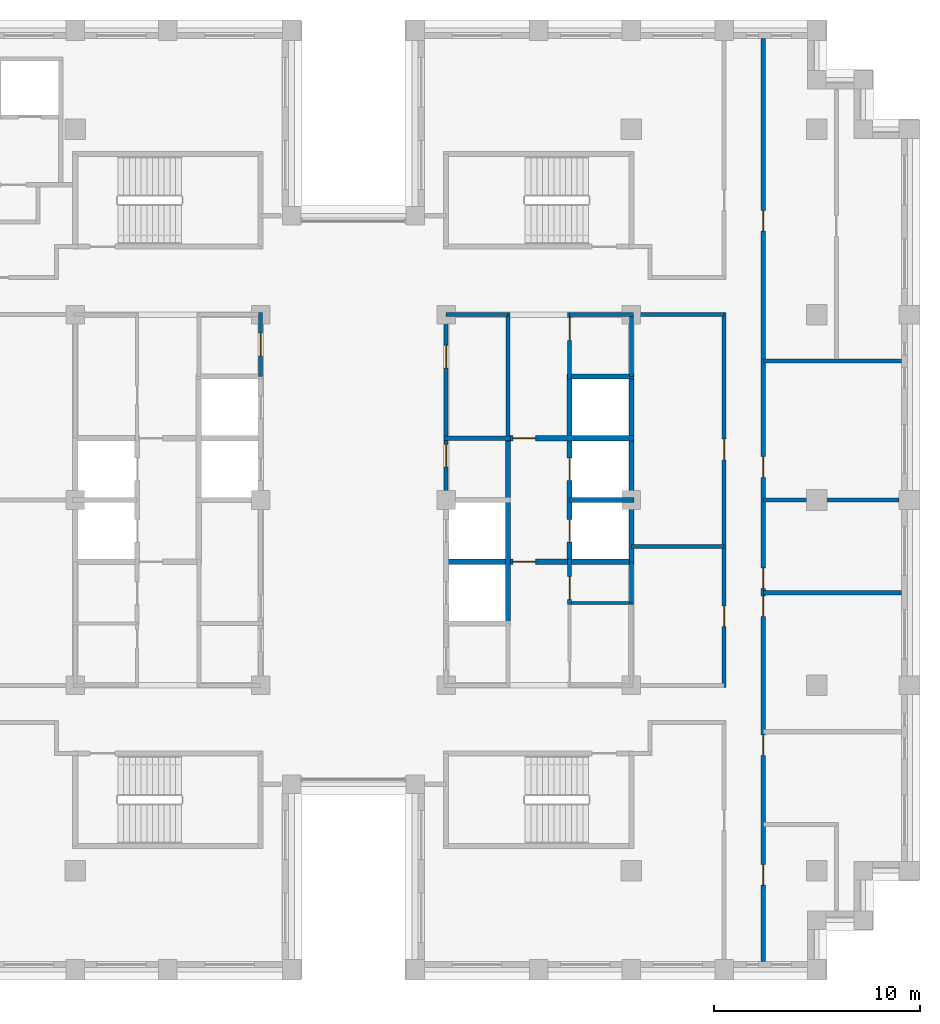
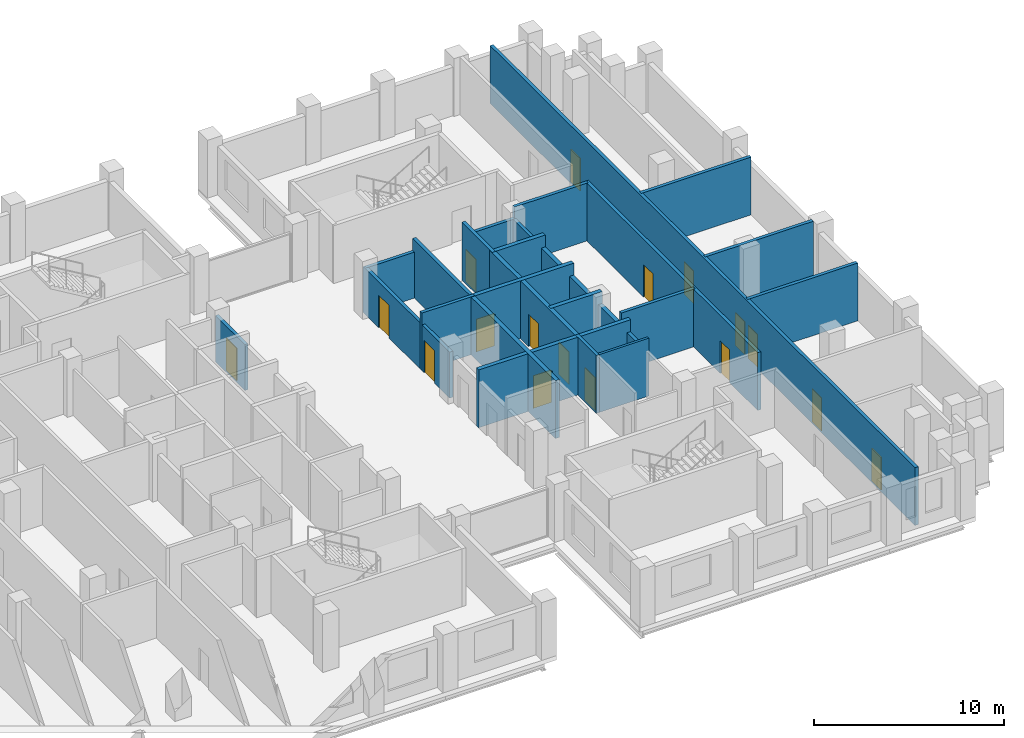
# One storey, part 9 of 15: 25 walls, 17 doors, 17 openings.
"""IFC4 building model written with IfcOpenShell, lengths in metres."""

from ifc_helpers import new_model, si_unit, direction, frame, frame_2d, origin, place, context, subcontext, project, spatial, rectangle, extrude, material, layer, layer_set, type_object, element, fill, save


model = new_model("IFC4")

# Units and contexts
model_context = context("Model", 3, precision=1e-05, world=origin(), true_north=direction((0.0, 1.0)))
body_context = subcontext(model_context, "Body", "Model", "MODEL_VIEW")
ifc_project = project(units=[si_unit("LENGTHUNIT", "METRE"), si_unit("AREAUNIT", "SQUARE_METRE"), si_unit("VOLUMEUNIT", "CUBIC_METRE"), si_unit("PLANEANGLEUNIT", "RADIAN"), si_unit("MASSUNIT", "GRAM", prefix="KILO")], contexts=[model_context])

# Site, building, storey
site_placement = place(None, origin())
site = spatial("IfcSite", under=ifc_project, at=site_placement, CompositionType="ELEMENT")
building_placement = place(site_placement, origin())
building = spatial("IfcBuilding", under=site, at=building_placement, Name="Corbelhall Arena Tower", CompositionType="ELEMENT")
storey_placement = place(building_placement, frame((0.0, 0.0, 200.0)))
storey = spatial("IfcBuildingStorey", under=building, at=storey_placement, Name="L41", CompositionType="ELEMENT", Elevation=200.0)

# Walls
ifc_material_1 = material(Name="Gypsum board on steel stud, acoustic", Category="steel")
ifc_layer_1 = layer(ifc_material_1, 0.199951171875)
ifc_layer_set_1 = layer_set([ifc_layer_1], Name="IN-W-DM200")
wall_type_1 = type_object("IfcWallType", Name="IN-W-DM200", PredefinedType="PARTITIONING", material=ifc_layer_set_1)
for number, where, z_axis, x_axis, name in (
    (1, (13.5, -2.25, 0.0), (0.0, 0.0, 1.0), (1.0, 0.0, 0.0), "Partition 038"),
    (2, (18.0, 9.0, 0.0), (0.0, 0.0, 1.0), (-1.0, 0.0, 0.0), "Partition 041"),
):
    element("IfcWall", number, at=place(storey_placement, frame(where, z_axis=z_axis, x_axis=x_axis)), inside=storey, type_object=wall_type_1, Name=name, PredefinedType="PARTITIONING", context=body_context, shape_type="SweptSolid", body=[
        extrude(rectangle(XDim=4.5, YDim=0.199951171875, at=frame_2d((2.25, 0.0))), origin(), (0.0, 0.0, 1.0), 3.719970703125),
    ])

# Wall, openings, doors
wall_1_placement = place(storey_placement, frame((18.0, -9.10009765625, 0.0), z_axis=(0.0, 0.0, 1.0), x_axis=(0.0, 1.0, 0.0)))
wall_1 = element("IfcWall", 3, at=wall_1_placement, inside=storey, type_object=wall_type_1, Name="Partition 046", PredefinedType="PARTITIONING", context=body_context, shape_type="SweptSolid", body=[
    extrude(rectangle(XDim=18.2001953125, YDim=0.199951171875, at=frame_2d((9.10009765625, 0.0))), origin(), (0.0, 0.0, 1.0), 3.719970703125),
])
opening_1_placement = place(wall_1_placement, frame((2.949951171875, 0.0, 0.0)))
opening_1 = element("IfcOpeningElement", 4, at=opening_1_placement, cuts=wall_1, Name="Opening 12025", PredefinedType="OPENING", context=body_context, shape_type="SweptSolid", body=[
    extrude(rectangle(XDim=1.0, YDim=2.10009765625, at=frame_2d((0.5, 1.050048828125))), frame((0.0, 0.10009765625, 0.0), z_axis=(0.0, -1.0, 0.0), x_axis=(1.0, 0.0, 0.0)), (0.0, 0.0, 1.0), 0.199951171875),
])
opening_2_placement = place(wall_1_placement, frame((11.050048828125, 0.0, 0.0)))
opening_2 = element("IfcOpeningElement", 5, at=opening_2_placement, cuts=wall_1, Name="Opening 12026", PredefinedType="OPENING", context=body_context, shape_type="SweptSolid", body=[
    extrude(rectangle(XDim=1.0, YDim=2.10009765625, at=frame_2d((0.5, 1.050048828125))), frame((0.0, 0.10009765625, 0.0), z_axis=(0.0, -1.0, 0.0), x_axis=(1.0, 0.0, 0.0)), (0.0, 0.0, 1.0), 0.199951171875),
])
ifc_material_2 = material(Name="Steel door set", Category="steel")
door_type_1 = type_object("IfcDoorType", Name="IN-D-SW100", OperationType="NOTDEFINED", PredefinedType="DOOR", material=ifc_material_2)
door_1_placement = place(opening_1_placement, origin())
door_1 = element("IfcDoor", 6, at=door_1_placement, inside=storey, type_object=door_type_1, Name="Door 025", OperationType="SINGLE_SWING_RIGHT", OverallHeight=2.10009765625, OverallWidth=1.0, PredefinedType="DOOR", context=body_context, shape_type="SweptSolid", body=[
    extrude(rectangle(XDim=1.0, YDim=2.10009765625, at=frame_2d((0.5, 1.050048828125))), frame((0.0, 0.02490234375, 0.0), z_axis=(0.0, -1.0, 0.0), x_axis=(1.0, 0.0, 0.0)), (0.0, 0.0, 1.0), 0.050048828125),
])
fill(opening_1, door_1)
door_2_placement = place(opening_2_placement, origin())
door_2 = element("IfcDoor", 7, at=door_2_placement, inside=storey, type_object=door_type_1, Name="Door 026", OperationType="SINGLE_SWING_LEFT", OverallHeight=2.10009765625, OverallWidth=1.0, PredefinedType="DOOR", context=body_context, shape_type="SweptSolid", body=[
    extrude(rectangle(XDim=1.0, YDim=2.10009765625, at=frame_2d((0.5, 1.050048828125))), frame((0.0, 0.02490234375, 0.0), z_axis=(0.0, -1.0, 0.0), x_axis=(1.0, 0.0, 0.0)), (0.0, 0.0, 1.0), 0.050048828125),
])
fill(opening_2, door_2)

wall_2_placement = place(storey_placement, frame((19.89990234375, 22.39990234375, 0.0), z_axis=(0.0, 0.0, 1.0), x_axis=(0.0, -1.0, 0.0)))
wall_2 = element("IfcWall", 8, at=wall_2_placement, inside=storey, type_object=wall_type_1, Name="Partition 049", PredefinedType="PARTITIONING", context=body_context, shape_type="SweptSolid", body=[
    extrude(rectangle(XDim=44.7998046875, YDim=0.199951171875, at=frame_2d((22.39990234375, 0.0))), origin(), (0.0, 0.0, 1.0), 3.719970703125),
])
opening_3_placement = place(wall_2_placement, frame((20.300048828125, 0.0, 0.0)))
opening_3 = element("IfcOpeningElement", 9, at=opening_3_placement, cuts=wall_2, Name="Opening 12036", PredefinedType="OPENING", context=body_context, shape_type="SweptSolid", body=[
    extrude(rectangle(XDim=1.0, YDim=2.10009765625, at=frame_2d((0.5, 1.050048828125))), frame((0.0, 0.10009765625, 0.0), z_axis=(0.0, -1.0, 0.0), x_axis=(1.0, 0.0, 0.0)), (0.0, 0.0, 1.0), 0.199951171875),
])
opening_4_placement = place(wall_2_placement, frame((8.35009765625, 0.0, 0.0)))
opening_4 = element("IfcOpeningElement", 10, at=opening_4_placement, cuts=wall_2, Name="Opening 12037", PredefinedType="OPENING", context=body_context, shape_type="SweptSolid", body=[
    extrude(rectangle(XDim=1.0, YDim=2.10009765625, at=frame_2d((0.5, 1.050048828125))), frame((0.0, 0.10009765625, 0.0), z_axis=(0.0, -1.0, 0.0), x_axis=(1.0, 0.0, 0.0)), (0.0, 0.0, 1.0), 0.199951171875),
])
opening_5_placement = place(wall_2_placement, frame((40.10009765625, 0.0, 0.0)))
opening_5 = element("IfcOpeningElement", 11, at=opening_5_placement, cuts=wall_2, Name="Opening 12039", PredefinedType="OPENING", context=body_context, shape_type="SweptSolid", body=[
    extrude(rectangle(XDim=1.0, YDim=2.10009765625, at=frame_2d((0.5, 1.050048828125))), frame((0.0, 0.10009765625, 0.0), z_axis=(0.0, -1.0, 0.0), x_axis=(1.0, 0.0, 0.0)), (0.0, 0.0, 1.0), 0.199951171875),
])
opening_6_placement = place(wall_2_placement, frame((33.800048828125, 0.0, 0.0)))
opening_6 = element("IfcOpeningElement", 12, at=opening_6_placement, cuts=wall_2, Name="Opening 12040", PredefinedType="OPENING", context=body_context, shape_type="SweptSolid", body=[
    extrude(rectangle(XDim=1.0, YDim=2.10009765625, at=frame_2d((0.5, 1.050048828125))), frame((0.0, 0.10009765625, 0.0), z_axis=(0.0, -1.0, 0.0), x_axis=(1.0, 0.0, 0.0)), (0.0, 0.0, 1.0), 0.199951171875),
])
opening_7_placement = place(wall_2_placement, frame((27.050048828125, 0.0, 0.0)))
opening_7 = element("IfcOpeningElement", 13, at=opening_7_placement, cuts=wall_2, Name="Opening 12041", PredefinedType="OPENING", context=body_context, shape_type="SweptSolid", body=[
    extrude(rectangle(XDim=1.0, YDim=2.10009765625, at=frame_2d((0.5, 1.050048828125))), frame((0.0, 0.10009765625, 0.0), z_axis=(0.0, -1.0, 0.0), x_axis=(1.0, 0.0, 0.0)), (0.0, 0.0, 1.0), 0.199951171875),
])
opening_8_placement = place(wall_2_placement, frame((25.699951171875, 0.0, 0.0)))
opening_8 = element("IfcOpeningElement", 14, at=opening_8_placement, cuts=wall_2, Name="Opening 12042", PredefinedType="OPENING", context=body_context, shape_type="SweptSolid", body=[
    extrude(rectangle(XDim=1.0, YDim=2.10009765625, at=frame_2d((0.5, 1.050048828125))), frame((0.0, 0.10009765625, 0.0), z_axis=(0.0, -1.0, 0.0), x_axis=(1.0, 0.0, 0.0)), (0.0, 0.0, 1.0), 0.199951171875),
])
door_3_placement = place(opening_3_placement, origin())
door_3 = element("IfcDoor", 15, at=door_3_placement, inside=storey, type_object=door_type_1, Name="Door 036", OperationType="SINGLE_SWING_LEFT", OverallHeight=2.10009765625, OverallWidth=1.0, PredefinedType="DOOR", context=body_context, shape_type="SweptSolid", body=[
    extrude(rectangle(XDim=1.0, YDim=2.10009765625, at=frame_2d((0.5, 1.050048828125))), frame((0.0, 0.02490234375, 0.0), z_axis=(0.0, -1.0, 0.0), x_axis=(1.0, 0.0, 0.0)), (0.0, 0.0, 1.0), 0.050048828125),
])
fill(opening_3, door_3)
door_4_placement = place(opening_4_placement, origin())
door_4 = element("IfcDoor", 16, at=door_4_placement, inside=storey, type_object=door_type_1, Name="Door 037", OperationType="SINGLE_SWING_RIGHT", OverallHeight=2.10009765625, OverallWidth=1.0, PredefinedType="DOOR", context=body_context, shape_type="SweptSolid", body=[
    extrude(rectangle(XDim=1.0, YDim=2.10009765625, at=frame_2d((0.5, 1.050048828125))), frame((0.0, 0.02490234375, 0.0), z_axis=(0.0, -1.0, 0.0), x_axis=(1.0, 0.0, 0.0)), (0.0, 0.0, 1.0), 0.050048828125),
])
fill(opening_4, door_4)
door_5_placement = place(opening_5_placement, origin())
door_5 = element("IfcDoor", 17, at=door_5_placement, inside=storey, type_object=door_type_1, Name="Door 039", OperationType="SINGLE_SWING_RIGHT", OverallHeight=2.10009765625, OverallWidth=1.0, PredefinedType="DOOR", context=body_context, shape_type="SweptSolid", body=[
    extrude(rectangle(XDim=1.0, YDim=2.10009765625, at=frame_2d((0.5, 1.050048828125))), frame((0.0, 0.02490234375, 0.0), z_axis=(0.0, -1.0, 0.0), x_axis=(1.0, 0.0, 0.0)), (0.0, 0.0, 1.0), 0.050048828125),
])
fill(opening_5, door_5)
door_6_placement = place(opening_6_placement, origin())
door_6 = element("IfcDoor", 18, at=door_6_placement, inside=storey, type_object=door_type_1, Name="Door 040", OperationType="SINGLE_SWING_LEFT", OverallHeight=2.10009765625, OverallWidth=1.0, PredefinedType="DOOR", context=body_context, shape_type="SweptSolid", body=[
    extrude(rectangle(XDim=1.0, YDim=2.10009765625, at=frame_2d((0.5, 1.050048828125))), frame((0.0, 0.02490234375, 0.0), z_axis=(0.0, -1.0, 0.0), x_axis=(1.0, 0.0, 0.0)), (0.0, 0.0, 1.0), 0.050048828125),
])
fill(opening_6, door_6)
door_7_placement = place(opening_7_placement, origin())
door_7 = element("IfcDoor", 19, at=door_7_placement, inside=storey, type_object=door_type_1, Name="Door 041", OperationType="SINGLE_SWING_RIGHT", OverallHeight=2.10009765625, OverallWidth=1.0, PredefinedType="DOOR", context=body_context, shape_type="SweptSolid", body=[
    extrude(rectangle(XDim=1.0, YDim=2.10009765625, at=frame_2d((0.5, 1.050048828125))), frame((0.0, 0.02490234375, 0.0), z_axis=(0.0, -1.0, 0.0), x_axis=(1.0, 0.0, 0.0)), (0.0, 0.0, 1.0), 0.050048828125),
])
fill(opening_7, door_7)
door_8_placement = place(opening_8_placement, origin())
door_8 = element("IfcDoor", 20, at=door_8_placement, inside=storey, type_object=door_type_1, Name="Door 042", OperationType="SINGLE_SWING_LEFT", OverallHeight=2.10009765625, OverallWidth=1.0, PredefinedType="DOOR", context=body_context, shape_type="SweptSolid", body=[
    extrude(rectangle(XDim=1.0, YDim=2.10009765625, at=frame_2d((0.5, 1.050048828125))), frame((0.0, 0.02490234375, 0.0), z_axis=(0.0, -1.0, 0.0), x_axis=(1.0, 0.0, 0.0)), (0.0, 0.0, 1.0), 0.050048828125),
])
fill(opening_8, door_8)

# Walls
for number, where, z_axis, x_axis, name in (
    (21, (19.89990234375, -4.5, 0.0), (0.0, 0.0, 1.0), (1.0, 0.0, 0.0), "Partition 051"),
    (22, (19.89990234375, 6.75, 0.0), (0.0, 0.0, 1.0), (1.0, 0.0, 0.0), "Partition 052"),
):
    element("IfcWall", number, at=place(storey_placement, frame(where, z_axis=z_axis, x_axis=x_axis)), inside=storey, type_object=wall_type_1, Name=name, PredefinedType="PARTITIONING", context=body_context, shape_type="SweptSolid", body=[
        extrude(rectangle(XDim=6.7001953125, YDim=0.199951171875, at=frame_2d((3.35009765625, 0.0))), origin(), (0.0, 0.0, 1.0), 3.719970703125),
    ])
wall_3_placement = place(storey_placement, frame((26.5, 0.0, 0.0), z_axis=(0.0, 0.0, 1.0), x_axis=(-1.0, 0.0, 0.0)))
element("IfcWall", 23, at=wall_3_placement, inside=storey, type_object=wall_type_1, Name="Partition 054", PredefinedType="PARTITIONING", context=body_context, shape_type="SweptSolid", body=[
    extrude(rectangle(XDim=6.60009765625, YDim=0.199951171875, at=frame_2d((3.300048828125, 0.0))), origin(), (0.0, 0.0, 1.0), 3.719970703125),
])
ifc_material_3 = material(Name="Concrete block wall", Category="concrete")
ifc_layer_2 = layer(ifc_material_3, 0.199951171875)
ifc_layer_set_2 = layer_set([ifc_layer_2], Name="IN-W-RS200")
wall_type_2 = type_object("IfcWallType", Name="IN-W-RS200", PredefinedType="SOLIDWALL", material=ifc_layer_set_2)
wall_4_placement = place(storey_placement, frame((4.39990234375, 3.0, 0.0), z_axis=(0.0, 0.0, 1.0), x_axis=(1.0, 0.0, 0.0)))
element("IfcWall", 24, at=wall_4_placement, inside=storey, type_object=wall_type_2, Name="Partition 065", PredefinedType="SOLIDWALL", context=body_context, shape_type="SweptSolid", body=[
    extrude(rectangle(XDim=3.22509765625, YDim=0.199951171875, at=frame_2d((1.612548828125, 0.0))), origin(), (0.0, 0.0, 1.0), 3.719970703125),
])
wall_5_placement = place(storey_placement, frame((7.5, 9.10009765625, 0.0), z_axis=(0.0, 0.0, 1.0), x_axis=(0.0, -1.0, 0.0)))
element("IfcWall", 25, at=wall_5_placement, inside=storey, type_object=wall_type_2, Name="Partition 071", PredefinedType="SOLIDWALL", context=body_context, shape_type="SweptSolid", body=[
    extrude(rectangle(XDim=6.22509765625, YDim=0.199951171875, at=frame_2d((3.112548828125, 0.0))), origin(), (0.0, 0.0, 1.0), 3.719970703125),
])

# Wall, opening, door
wall_6_placement = place(storey_placement, frame((10.5, -2.875, 0.0), z_axis=(0.0, 0.0, 1.0), x_axis=(0.0, -1.0, 0.0)))
wall_6 = element("IfcWall", 26, at=wall_6_placement, inside=storey, type_object=wall_type_2, Name="Partition 072", PredefinedType="SOLIDWALL", context=body_context, shape_type="SweptSolid", body=[
    extrude(rectangle(XDim=2.199951171875, YDim=0.199951171875, at=frame_2d((1.10009765625, 0.0))), origin(), (0.0, 0.0, 1.0), 3.719970703125),
])
opening_9_placement = place(wall_6_placement, frame((0.85009765625, 0.0, 0.0)))
opening_9 = element("IfcOpeningElement", 27, at=opening_9_placement, cuts=wall_6, Name="Opening 12015", PredefinedType="OPENING", context=body_context, shape_type="SweptSolid", body=[
    extrude(rectangle(XDim=1.10009765625, YDim=2.10009765625, at=frame_2d((0.550048828125, 1.050048828125))), frame((0.0, 0.10009765625, 0.0), z_axis=(0.0, -1.0, 0.0), x_axis=(1.0, 0.0, 0.0)), (0.0, 0.0, 1.0), 0.199951171875),
])
door_type_2 = type_object("IfcDoorType", Name="IN-D-FD110", OperationType="NOTDEFINED", PredefinedType="DOOR", material=ifc_material_2)
door_9_placement = place(opening_9_placement, origin())
door_9 = element("IfcDoor", 28, at=door_9_placement, inside=storey, type_object=door_type_2, Name="Door 015", OperationType="SINGLE_SWING_RIGHT", OverallHeight=2.10009765625, OverallWidth=1.10009765625, PredefinedType="DOOR", context=body_context, shape_type="SweptSolid", body=[
    extrude(rectangle(XDim=1.10009765625, YDim=2.10009765625, at=frame_2d((0.550048828125, 1.050048828125))), frame((0.0, 0.02490234375, 0.0), z_axis=(0.0, -1.0, 0.0), x_axis=(1.0, 0.0, 0.0)), (0.0, 0.0, 1.0), 0.050048828125),
])
fill(opening_9, door_9)

wall_7_placement = place(storey_placement, frame((10.5, 9.10009765625, 0.0), z_axis=(0.0, 0.0, 1.0), x_axis=(0.0, -1.0, 0.0)))
wall_7 = element("IfcWall", 29, at=wall_7_placement, inside=storey, type_object=wall_type_2, Name="Partition 074", PredefinedType="SOLIDWALL", context=body_context, shape_type="SweptSolid", body=[
    extrude(rectangle(XDim=3.22509765625, YDim=0.199951171875, at=frame_2d((1.612548828125, 0.0))), origin(), (0.0, 0.0, 1.0), 3.719970703125),
])
opening_10_placement = place(wall_7_placement, frame((0.25, 0.0, 0.0)))
opening_10 = element("IfcOpeningElement", 30, at=opening_10_placement, cuts=wall_7, Name="Opening 12016", PredefinedType="OPENING", context=body_context, shape_type="SweptSolid", body=[
    extrude(rectangle(XDim=1.10009765625, YDim=2.10009765625, at=frame_2d((0.550048828125, 1.050048828125))), frame((0.0, 0.10009765625, 0.0), z_axis=(0.0, -1.0, 0.0), x_axis=(1.0, 0.0, 0.0)), (0.0, 0.0, 1.0), 0.199951171875),
])
door_10_placement = place(opening_10_placement, origin())
door_10 = element("IfcDoor", 31, at=door_10_placement, inside=storey, type_object=door_type_2, Name="Door 016", OperationType="SINGLE_SWING_LEFT", OverallHeight=2.10009765625, OverallWidth=1.10009765625, PredefinedType="DOOR", context=body_context, shape_type="SweptSolid", body=[
    extrude(rectangle(XDim=1.10009765625, YDim=2.10009765625, at=frame_2d((0.550048828125, 1.050048828125))), frame((0.0, 0.02490234375, 0.0), z_axis=(0.0, -1.0, 0.0), x_axis=(1.0, 0.0, 0.0)), (0.0, 0.0, 1.0), 0.050048828125),
])
fill(opening_10, door_10)

ifc_layer_3 = layer(ifc_material_3, 0.199951171875)
ifc_layer_set_3 = layer_set([ifc_layer_3], Name="IN-W-RS200 under beam 762 mm")
wall_type_3 = type_object("IfcWallType", Name="IN-W-RS200 under beam 762 mm", PredefinedType="SOLIDWALL", material=ifc_layer_set_3)
wall_8_placement = place(storey_placement, frame((-4.5, 9.10009765625, 0.0), z_axis=(0.0, 0.0, 1.0), x_axis=(0.0, -1.0, 0.0)))
wall_8 = element("IfcWall", 32, at=wall_8_placement, inside=storey, type_object=wall_type_3, Name="Partition 064", PredefinedType="SOLIDWALL", context=body_context, shape_type="SweptSolid", body=[
    extrude(rectangle(XDim=3.10009765625, YDim=0.199951171875, at=frame_2d((1.550048828125, 0.0))), origin(), (0.0, 0.0, 1.0), 2.9580078125),
])
opening_11_placement = place(wall_8_placement, frame((1.0, 0.0, 0.0)))
opening_11 = element("IfcOpeningElement", 33, at=opening_11_placement, cuts=wall_8, Name="Opening 12003", PredefinedType="OPENING", context=body_context, shape_type="SweptSolid", body=[
    extrude(rectangle(XDim=1.10009765625, YDim=2.10009765625, at=frame_2d((0.550048828125, 1.050048828125))), frame((0.0, 0.10009765625, 0.0), z_axis=(0.0, -1.0, 0.0), x_axis=(1.0, 0.0, 0.0)), (0.0, 0.0, 1.0), 0.199951171875),
])
door_11_placement = place(opening_11_placement, origin())
door_11 = element("IfcDoor", 34, at=door_11_placement, inside=storey, type_object=door_type_2, Name="Door 003", OperationType="SINGLE_SWING_RIGHT", OverallHeight=2.10009765625, OverallWidth=1.10009765625, PredefinedType="DOOR", context=body_context, shape_type="SweptSolid", body=[
    extrude(rectangle(XDim=1.10009765625, YDim=2.10009765625, at=frame_2d((0.550048828125, 1.050048828125))), frame((0.0, 0.02490234375, 0.0), z_axis=(0.0, -1.0, 0.0), x_axis=(1.0, 0.0, 0.0)), (0.0, 0.0, 1.0), 0.050048828125),
])
fill(opening_11, door_11)

# Wall, openings, doors
wall_9_placement = place(storey_placement, frame((4.5, 0.0, 0.0), z_axis=(0.0, 0.0, 1.0), x_axis=(0.0, 1.0, 0.0)))
wall_9 = element("IfcWall", 35, at=wall_9_placement, inside=storey, type_object=wall_type_3, Name="Partition 067", PredefinedType="SOLIDWALL", context=body_context, shape_type="SweptSolid", body=[
    extrude(rectangle(XDim=9.10009765625, YDim=0.199951171875, at=frame_2d((4.550048828125, 0.0))), origin(), (0.0, 0.0, 1.0), 2.9580078125),
])
opening_12_placement = place(wall_9_placement, frame((1.60009765625, 0.0, 0.0)))
opening_12 = element("IfcOpeningElement", 36, at=opening_12_placement, cuts=wall_9, Name="Opening 12010", PredefinedType="OPENING", context=body_context, shape_type="SweptSolid", body=[
    extrude(rectangle(XDim=1.10009765625, YDim=2.10009765625, at=frame_2d((0.550048828125, 1.050048828125))), frame((0.0, 0.10009765625, 0.0), z_axis=(0.0, -1.0, 0.0), x_axis=(1.0, 0.0, 0.0)), (0.0, 0.0, 1.0), 0.199951171875),
])
opening_13_placement = place(wall_9_placement, frame((6.39990234375, 0.0, 0.0)))
opening_13 = element("IfcOpeningElement", 37, at=opening_13_placement, cuts=wall_9, Name="Opening 12011", PredefinedType="OPENING", context=body_context, shape_type="SweptSolid", body=[
    extrude(rectangle(XDim=1.10009765625, YDim=2.10009765625, at=frame_2d((0.550048828125, 1.050048828125))), frame((0.0, 0.10009765625, 0.0), z_axis=(0.0, -1.0, 0.0), x_axis=(1.0, 0.0, 0.0)), (0.0, 0.0, 1.0), 0.199951171875),
])
door_12_placement = place(opening_12_placement, origin())
door_12 = element("IfcDoor", 38, at=door_12_placement, inside=storey, type_object=door_type_2, Name="Door 010", OperationType="SINGLE_SWING_LEFT", OverallHeight=2.10009765625, OverallWidth=1.10009765625, PredefinedType="DOOR", context=body_context, shape_type="SweptSolid", body=[
    extrude(rectangle(XDim=1.10009765625, YDim=2.10009765625, at=frame_2d((0.550048828125, 1.050048828125))), frame((0.0, 0.02490234375, 0.0), z_axis=(0.0, -1.0, 0.0), x_axis=(1.0, 0.0, 0.0)), (0.0, 0.0, 1.0), 0.050048828125),
])
fill(opening_12, door_12)
door_13_placement = place(opening_13_placement, origin())
door_13 = element("IfcDoor", 39, at=door_13_placement, inside=storey, type_object=door_type_2, Name="Door 011", OperationType="SINGLE_SWING_RIGHT", OverallHeight=2.10009765625, OverallWidth=1.10009765625, PredefinedType="DOOR", context=body_context, shape_type="SweptSolid", body=[
    extrude(rectangle(XDim=1.10009765625, YDim=2.10009765625, at=frame_2d((0.550048828125, 1.050048828125))), frame((0.0, 0.02490234375, 0.0), z_axis=(0.0, -1.0, 0.0), x_axis=(1.0, 0.0, 0.0)), (0.0, 0.0, 1.0), 0.050048828125),
])
fill(opening_13, door_13)

# Walls
wall_10_placement = place(storey_placement, frame((4.5, 9.0, 0.0), z_axis=(0.0, 0.0, 1.0), x_axis=(1.0, 0.0, 0.0)))
element("IfcWall", 40, at=wall_10_placement, inside=storey, type_object=wall_type_3, Name="Partition 068", PredefinedType="SOLIDWALL", context=body_context, shape_type="SweptSolid", body=[
    extrude(rectangle(XDim=3.0, YDim=0.199951171875, at=frame_2d((1.5, 0.0))), origin(), (0.0, 0.0, 1.0), 2.9580078125),
])
wall_11_placement = place(storey_placement, frame((10.5, 9.0, 0.0), z_axis=(0.0, 0.0, 1.0), x_axis=(1.0, 0.0, 0.0)))
element("IfcWall", 41, at=wall_11_placement, inside=storey, type_object=wall_type_3, Name="Partition 073", PredefinedType="SOLIDWALL", context=body_context, shape_type="SweptSolid", body=[
    extrude(rectangle(XDim=3.10009765625, YDim=0.199951171875, at=frame_2d((1.550048828125, 0.0))), origin(), (0.0, 0.0, 1.0), 2.9580078125),
])
wall_12_placement = place(storey_placement, frame((13.5, -3.0, 0.0), z_axis=(0.0, 0.0, 1.0), x_axis=(0.0, -1.0, 0.0)))
element("IfcWall", 42, at=wall_12_placement, inside=storey, type_object=wall_type_3, Name="Partition 075", PredefinedType="SOLIDWALL", context=body_context, shape_type="SweptSolid", body=[
    extrude(rectangle(XDim=2.0, YDim=0.199951171875, at=frame_2d((1.0, 0.0))), origin(), (0.0, 0.0, 1.0), 2.9580078125),
])
wall_13_placement = place(storey_placement, frame((13.5, 9.10009765625, 0.0), z_axis=(0.0, 0.0, 1.0), x_axis=(0.0, -1.0, 0.0)))
element("IfcWall", 43, at=wall_13_placement, inside=storey, type_object=wall_type_3, Name="Partition 076", PredefinedType="SOLIDWALL", context=body_context, shape_type="SweptSolid", body=[
    extrude(rectangle(XDim=3.10009765625, YDim=0.199951171875, at=frame_2d((1.550048828125, 0.0))), origin(), (0.0, 0.0, 1.0), 2.9580078125),
])

# Wall, opening, door
ifc_material_4 = material(Name="Concrete C40/50", Category="concrete")
ifc_layer_4 = layer(ifc_material_4, 0.25)
ifc_layer_set_4 = layer_set([ifc_layer_4], Name="IN-W-SH250")
wall_type_4 = type_object("IfcWallType", Name="IN-W-SH250", PredefinedType="SOLIDWALL", material=ifc_layer_set_4)
wall_14_placement = place(storey_placement, frame((4.375, -3.0, 0.0), z_axis=(0.0, 0.0, 1.0), x_axis=(1.0, 0.0, 0.0)))
wall_14 = element("IfcWall", 44, at=wall_14_placement, inside=storey, type_object=wall_type_4, Name="Shaft wall 087", PredefinedType="SOLIDWALL", context=body_context, shape_type="SweptSolid", body=[
    extrude(rectangle(XDim=9.25, YDim=0.25, at=frame_2d((4.625, 0.0))), origin(), (0.0, 0.0, 1.0), 3.719970703125),
])
opening_14_placement = place(wall_14_placement, frame((3.375, 0.0, 0.0)))
opening_14 = element("IfcOpeningElement", 45, at=opening_14_placement, cuts=wall_14, Name="Opening 12012", PredefinedType="OPENING", context=body_context, shape_type="SweptSolid", body=[
    extrude(rectangle(XDim=1.10009765625, YDim=2.10009765625, at=frame_2d((0.550048828125, 1.050048828125))), frame((0.0, 0.125, 0.0), z_axis=(0.0, -1.0, 0.0), x_axis=(1.0, 0.0, 0.0)), (0.0, 0.0, 1.0), 0.25),
])
door_14_placement = place(opening_14_placement, origin())
door_14 = element("IfcDoor", 46, at=door_14_placement, inside=storey, type_object=door_type_2, Name="Door 012", OperationType="SINGLE_SWING_LEFT", OverallHeight=2.10009765625, OverallWidth=1.10009765625, PredefinedType="DOOR", context=body_context, shape_type="SweptSolid", body=[
    extrude(rectangle(XDim=1.10009765625, YDim=2.10009765625, at=frame_2d((0.550048828125, 1.050048828125))), frame((0.0, 0.02490234375, 0.0), z_axis=(0.0, -1.0, 0.0), x_axis=(1.0, 0.0, 0.0)), (0.0, 0.0, 1.0), 0.050048828125),
])
fill(opening_14, door_14)

# Wall
wall_15_placement = place(storey_placement, frame((7.5, 3.125, 0.0), z_axis=(0.0, 0.0, 1.0), x_axis=(0.0, -1.0, 0.0)))
element("IfcWall", 47, at=wall_15_placement, inside=storey, type_object=wall_type_4, Name="Shaft wall 090", PredefinedType="SOLIDWALL", context=body_context, shape_type="SweptSolid", body=[
    extrude(rectangle(XDim=9.125, YDim=0.25, at=frame_2d((4.5625, 0.0))), origin(), (0.0, 0.0, 1.0), 3.719970703125),
])

# Wall, opening, door
wall_16_placement = place(storey_placement, frame((7.5, 3.0, 0.0), z_axis=(0.0, 0.0, 1.0), x_axis=(1.0, 0.0, 0.0)))
wall_16 = element("IfcWall", 48, at=wall_16_placement, inside=storey, type_object=wall_type_4, Name="Shaft wall 091", PredefinedType="SOLIDWALL", context=body_context, shape_type="SweptSolid", body=[
    extrude(rectangle(XDim=6.125, YDim=0.25, at=frame_2d((3.0625, 0.0))), origin(), (0.0, 0.0, 1.0), 3.719970703125),
])
opening_15_placement = place(wall_16_placement, frame((0.25, 0.0, 0.0)))
opening_15 = element("IfcOpeningElement", 49, at=opening_15_placement, cuts=wall_16, Name="Opening 12013", PredefinedType="OPENING", context=body_context, shape_type="SweptSolid", body=[
    extrude(rectangle(XDim=1.10009765625, YDim=2.10009765625, at=frame_2d((0.550048828125, 1.050048828125))), frame((0.0, 0.125, 0.0), z_axis=(0.0, -1.0, 0.0), x_axis=(1.0, 0.0, 0.0)), (0.0, 0.0, 1.0), 0.25),
])
door_15_placement = place(opening_15_placement, origin())
door_15 = element("IfcDoor", 50, at=door_15_placement, inside=storey, type_object=door_type_2, Name="Door 013", OperationType="SINGLE_SWING_RIGHT", OverallHeight=2.10009765625, OverallWidth=1.10009765625, PredefinedType="DOOR", context=body_context, shape_type="SweptSolid", body=[
    extrude(rectangle(XDim=1.10009765625, YDim=2.10009765625, at=frame_2d((0.550048828125, 1.050048828125))), frame((0.0, 0.02490234375, 0.0), z_axis=(0.0, -1.0, 0.0), x_axis=(1.0, 0.0, 0.0)), (0.0, 0.0, 1.0), 0.050048828125),
])
fill(opening_15, door_15)

# Wall
wall_17_placement = place(storey_placement, frame((10.5, 0.0, 0.0), z_axis=(0.0, 0.0, 1.0), x_axis=(1.0, 0.0, 0.0)))
element("IfcWall", 51, at=wall_17_placement, inside=storey, type_object=wall_type_4, Name="Shaft wall 092", PredefinedType="SOLIDWALL", context=body_context, shape_type="SweptSolid", body=[
    extrude(rectangle(XDim=3.125, YDim=0.25, at=frame_2d((1.5625, 0.0))), origin(), (0.0, 0.0, 1.0), 3.719970703125),
])

# Wall, openings, doors
wall_18_placement = place(storey_placement, frame((10.5, 6.125, 0.0), z_axis=(0.0, 0.0, 1.0), x_axis=(0.0, -1.0, 0.0)))
wall_18 = element("IfcWall", 52, at=wall_18_placement, inside=storey, type_object=wall_type_4, Name="Shaft wall 093", PredefinedType="SOLIDWALL", context=body_context, shape_type="SweptSolid", body=[
    extrude(rectangle(XDim=9.25, YDim=0.25, at=frame_2d((4.625, 0.0))), origin(), (0.0, 0.0, 1.0), 3.719970703125),
])
opening_16_placement = place(wall_18_placement, frame((7.074951171875, 0.0, 0.0)))
opening_16 = element("IfcOpeningElement", 53, at=opening_16_placement, cuts=wall_18, Name="Opening LD", PredefinedType="OPENING", context=body_context, shape_type="SweptSolid", body=[
    extrude(rectangle(XDim=1.10009765625, YDim=2.10009765625, at=frame_2d((0.550048828125, 1.050048828125))), frame((0.0, 0.125, 0.0), z_axis=(0.0, -1.0, 0.0), x_axis=(1.0, 0.0, 0.0)), (0.0, 0.0, 1.0), 0.25),
])
opening_17_placement = place(wall_18_placement, frame((4.074951171875, 0.0, 0.0)))
opening_17 = element("IfcOpeningElement", 54, at=opening_17_placement, cuts=wall_18, Name="Opening LD", PredefinedType="OPENING", context=body_context, shape_type="SweptSolid", body=[
    extrude(rectangle(XDim=1.10009765625, YDim=2.10009765625, at=frame_2d((0.550048828125, 1.050048828125))), frame((0.0, 0.125, 0.0), z_axis=(0.0, -1.0, 0.0), x_axis=(1.0, 0.0, 0.0)), (0.0, 0.0, 1.0), 0.25),
])
door_type_3 = type_object("IfcDoorType", Name="IN-D-LD110", OperationType="NOTDEFINED", PredefinedType="DOOR", material=ifc_material_2)
door_16_placement = place(opening_16_placement, origin())
door_16 = element("IfcDoor", 55, at=door_16_placement, inside=storey, type_object=door_type_3, Name="Landing door E3", OperationType="SLIDING_TO_LEFT", OverallHeight=2.10009765625, OverallWidth=1.10009765625, PredefinedType="DOOR", context=body_context, shape_type="SweptSolid", body=[
    extrude(rectangle(XDim=1.10009765625, YDim=2.10009765625, at=frame_2d((0.550048828125, 1.050048828125))), frame((0.0, 0.02490234375, 0.0), z_axis=(0.0, -1.0, 0.0), x_axis=(1.0, 0.0, 0.0)), (0.0, 0.0, 1.0), 0.050048828125),
])
fill(opening_16, door_16)
door_17_placement = place(opening_17_placement, origin())
door_17 = element("IfcDoor", 56, at=door_17_placement, inside=storey, type_object=door_type_3, Name="Landing door E4", OperationType="SLIDING_TO_LEFT", OverallHeight=2.10009765625, OverallWidth=1.10009765625, PredefinedType="DOOR", context=body_context, shape_type="SweptSolid", body=[
    extrude(rectangle(XDim=1.10009765625, YDim=2.10009765625, at=frame_2d((0.550048828125, 1.050048828125))), frame((0.0, 0.02490234375, 0.0), z_axis=(0.0, -1.0, 0.0), x_axis=(1.0, 0.0, 0.0)), (0.0, 0.0, 1.0), 0.050048828125),
])
fill(opening_17, door_17)

# Walls
wall_19_placement = place(storey_placement, frame((10.5, 6.0, 0.0), z_axis=(0.0, 0.0, 1.0), x_axis=(1.0, 0.0, 0.0)))
element("IfcWall", 57, at=wall_19_placement, inside=storey, type_object=wall_type_4, Name="Shaft wall 094", PredefinedType="SOLIDWALL", context=body_context, shape_type="SweptSolid", body=[
    extrude(rectangle(XDim=3.125, YDim=0.25, at=frame_2d((1.5625, 0.0))), origin(), (0.0, 0.0, 1.0), 3.719970703125),
])
ifc_layer_5 = layer(ifc_material_4, 0.25)
ifc_layer_set_5 = layer_set([ifc_layer_5], Name="IN-W-SH250 under beam 762 mm")
wall_type_5 = type_object("IfcWallType", Name="IN-W-SH250 under beam 762 mm", PredefinedType="SOLIDWALL", material=ifc_layer_set_5)
wall_20_placement = place(storey_placement, frame((13.5, 6.0, 0.0), z_axis=(0.0, 0.0, 1.0), x_axis=(0.0, -1.0, 0.0)))
element("IfcWall", 58, at=wall_20_placement, inside=storey, type_object=wall_type_5, Name="Shaft wall 095", PredefinedType="SOLIDWALL", context=body_context, shape_type="SweptSolid", body=[
    extrude(rectangle(XDim=9.0, YDim=0.25, at=frame_2d((4.5, 0.0))), origin(), (0.0, 0.0, 1.0), 2.9580078125),
])
ifc_material_5 = material(Name="Gypsum board on steel stud, moisture resistant", Category="steel")
ifc_layer_6 = layer(ifc_material_5, 0.14990234375)
ifc_layer_set_6 = layer_set([ifc_layer_6], Name="IN-W-WC150")
wall_type_6 = type_object("IfcWallType", Name="IN-W-WC150", PredefinedType="PARTITIONING", material=ifc_layer_set_6)
wall_21_placement = place(storey_placement, frame((10.5, -5.0, 0.0), z_axis=(0.0, 0.0, 1.0), x_axis=(1.0, 0.0, 0.0)))
element("IfcWall", 59, at=wall_21_placement, inside=storey, type_object=wall_type_6, Name="Partition 125", PredefinedType="PARTITIONING", context=body_context, shape_type="SweptSolid", body=[
    extrude(rectangle(XDim=3.10009765625, YDim=0.14990234375, at=frame_2d((1.550048828125, 0.0))), origin(), (0.0, 0.0, 1.0), 3.719970703125),
])

save(model, "model.ifc")
